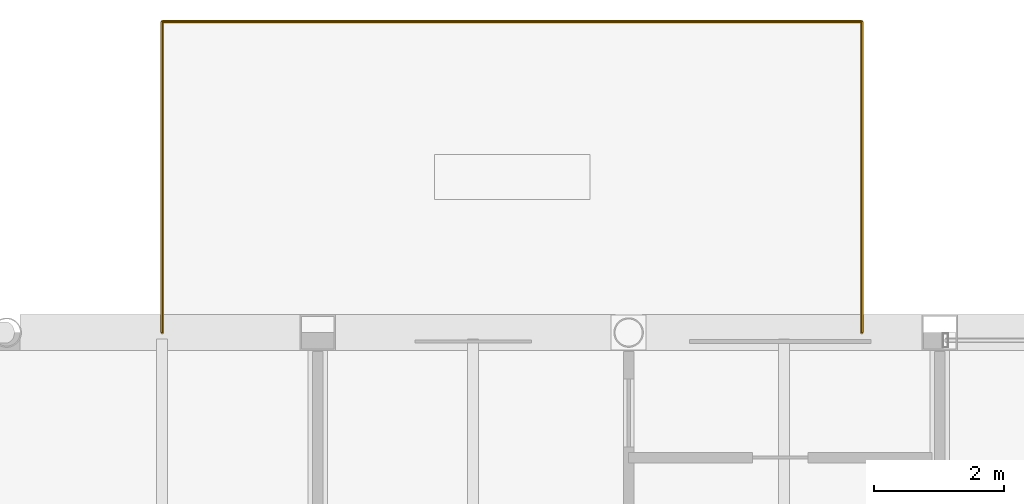
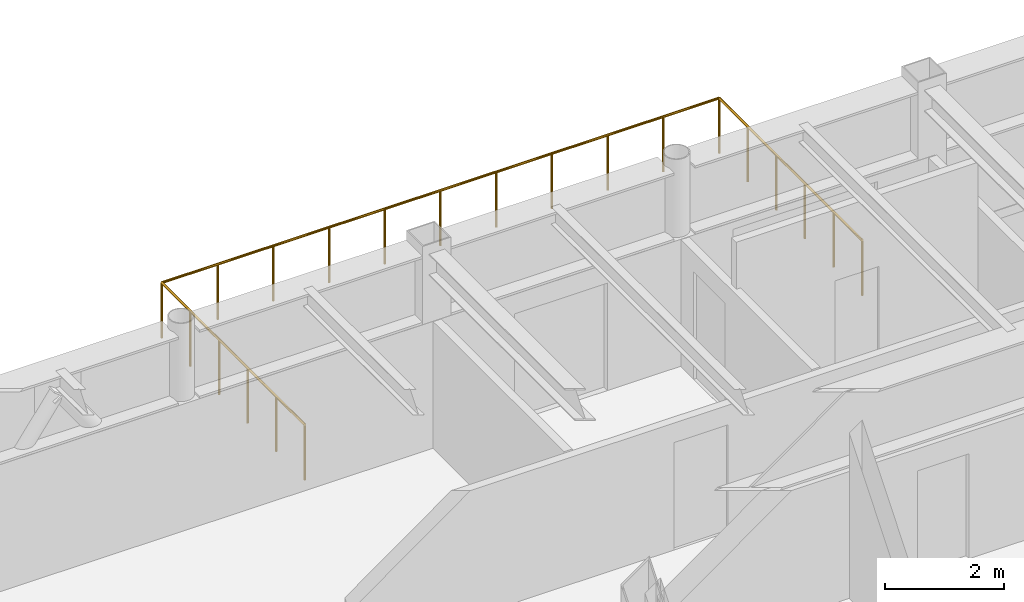
# One storey, part 23 of 23: 3 railings.
"""IFC4 building model written with IfcOpenShell, lengths in metres."""

import ifcopenshell
import ifcopenshell.guid

model = None  # the IFC model being written
_history = None  # IfcOwnerHistory: only IFC2X3 demands one
_inside = {}  # id of a spatial element -> (the spatial element, [elements in it])
_under = {}  # id of a project, library or spatial element -> (it, [spatial elements below it])
_declared = {}  # id of a project -> (the project, [libraries it declares])
_typed = {}  # id of a type object -> (the type object, [elements of that type])
_made_of = {}  # id of a material, layer set ... -> (it, [elements and type objects made of it])


def new_model(schema):
    """Start an empty IFC model of exactly this schema.

    Asked for "IFC4X3", IfcOpenShell would pick the latest addendum, in which some entities
    have other attributes; the version numbers below select the first issue.
    IFC2X3 requires an IfcOwnerHistory on every rooted entity: one is made here for all.
    """
    global model, _history
    if schema == "IFC4X3":
        model = ifcopenshell.file(schema_version=(4, 3, 0, 0))
    else:
        model = ifcopenshell.file(schema=schema)
    _inside.clear()
    _under.clear()
    _declared.clear()
    _typed.clear()
    _made_of.clear()
    _history = None
    if model.schema == "IFC2X3":
        org = make("IfcOrganization", Name="unknown")
        user = make(
            "IfcPersonAndOrganization",
            ThePerson=make("IfcPerson", FamilyName="unknown"),
            TheOrganization=org,
        )
        app = make(
            "IfcApplication",
            ApplicationDeveloper=org,
            Version="unknown",
            ApplicationFullName="unknown",
            ApplicationIdentifier="unknown",
        )
        _history = make(
            "IfcOwnerHistory",
            OwningUser=user,
            OwningApplication=app,
            ChangeAction="ADDED",
            CreationDate=0,
        )
    return model


def make(cls, **values):
    """One entity of the class cls with the attributes given. An attribute that is None is left unset."""
    return model.create_entity(
        cls, **{name: value for name, value in values.items() if value is not None}
    )


def rooted(cls, **values):
    """An entity with a GlobalId (a new one), such as an element, a storey or a relation."""
    return make(cls, GlobalId=ifcopenshell.guid.new(), OwnerHistory=_history, **values)


def si_unit(unit_type, name, prefix=None):
    """IfcSIUnit, for example si_unit("LENGTHUNIT", "METRE", prefix="MILLI")."""
    return make("IfcSIUnit", UnitType=unit_type, Prefix=prefix, Name=name)


def assignment(units):
    """IfcUnitAssignment: the units of a project."""
    return None if units is None else make("IfcUnitAssignment", Units=units)


def point(xyz):
    """IfcCartesianPoint."""
    return None if xyz is None else make("IfcCartesianPoint", Coordinates=xyz)


def direction(xyz):
    """IfcDirection."""
    return None if xyz is None else make("IfcDirection", DirectionRatios=xyz)


def frame(location, z_axis=None, x_axis=None):
    """IfcAxis2Placement3D, a coordinate frame: its origin and axes. An axis left out is left unset."""
    return make(
        "IfcAxis2Placement3D",
        Location=point(location),
        Axis=direction(z_axis),
        RefDirection=direction(x_axis),
    )


def frame_2d(location, x_axis=None):
    """IfcAxis2Placement2D, a coordinate frame in the plane: its origin and x axis."""
    return make(
        "IfcAxis2Placement2D", Location=point(location), RefDirection=direction(x_axis)
    )


def origin():
    """The frame at (0, 0, 0) with its axes left unset."""
    return frame((0.0, 0.0, 0.0))


def origin_2d():
    """The frame at (0, 0) in the plane with its x axis left unset."""
    return frame_2d((0.0, 0.0))


def place(relative_to, where):
    """IfcLocalPlacement: puts the frame where relative to a parent placement (None: the world)."""
    return make(
        "IfcLocalPlacement", PlacementRelTo=relative_to, RelativePlacement=where
    )


def context(
    kind, dimensions, precision=None, world=None, true_north=None, identifier=None
):
    """IfcGeometricRepresentationContext, for example the 3D "Model" context."""
    return make(
        "IfcGeometricRepresentationContext",
        ContextIdentifier=identifier,
        ContextType=kind,
        CoordinateSpaceDimension=dimensions,
        Precision=precision,
        WorldCoordinateSystem=world,
        TrueNorth=true_north,
    )


def subcontext(parent, identifier, kind, view, scale=None):
    """IfcGeometricRepresentationSubContext, for example "Body" below "Model"."""
    return make(
        "IfcGeometricRepresentationSubContext",
        ContextIdentifier=identifier,
        ContextType=kind,
        ParentContext=parent,
        TargetScale=scale,
        TargetView=view,
    )


def project(units=None, contexts=None):
    """IfcProject with its units and contexts."""
    return rooted(
        "IfcProject",
        Name="project",
        RepresentationContexts=contexts,
        UnitsInContext=assignment(units),
    )


def spatial(cls, under=None, at=None, **own):
    """A site, building, storey or space (cls), placed at a placement, below another one or the project."""
    s = rooted(cls, ObjectPlacement=at, **own)
    if under is not None:
        _under.setdefault(under.id(), (under, []))[1].append(s)
    return s


def profile(cls, at=None, kind="AREA", **sizes):
    """A parametric profile (cls). Its sizes go by their IFC names, for example OverallWidth=200.0."""
    return make(cls, ProfileType=kind, Position=at, **sizes)


def circle(**sizes):
    """IfcCircleProfileDef."""
    return profile("IfcCircleProfileDef", **sizes)


def extrude(swept, where, along, depth):
    """IfcExtrudedAreaSolid: the profile swept, set in the frame where, extruded along a direction by depth."""
    return make(
        "IfcExtrudedAreaSolid",
        SweptArea=swept,
        Position=where,
        ExtrudedDirection=direction(along),
        Depth=depth,
    )


def shape(context_of_items, identifier, shape_type, items):
    """IfcShapeRepresentation: the items that make up one representation, for example the "Body"."""
    return make(
        "IfcShapeRepresentation",
        ContextOfItems=context_of_items,
        RepresentationIdentifier=identifier,
        RepresentationType=shape_type,
        Items=items,
    )


def material(Name=None, Category=None):
    """IfcMaterial."""
    return make("IfcMaterial", Name=Name, Category=Category)


def layer(
    of_material, thickness, ventilated=None, Name=None, Category=None, Priority=None
):
    """IfcMaterialLayer: one layer of a wall or slab, of a material (None: an air gap)."""
    return make(
        "IfcMaterialLayer",
        Material=of_material,
        LayerThickness=thickness,
        IsVentilated=ventilated,
        Name=Name,
        Category=Category,
        Priority=Priority,
    )


def layer_set(layers, Name=None):
    """IfcMaterialLayerSet."""
    return make("IfcMaterialLayerSet", MaterialLayers=layers, LayerSetName=Name)


def made_of(thing, what):
    """Note that an element or type object is made of a material, layer set ...; save() writes the relation."""
    if what is not None:
        _made_of.setdefault(what.id(), (what, []))[1].append(thing)
    return thing


def type_object(cls, material=None, **own):
    """A type object (cls), such as IfcWallType, which elements share."""
    return made_of(rooted(cls, **own), material)


def element(
    cls,
    number,
    at=None,
    inside=None,
    cuts=None,
    type_object=None,
    material=None,
    context=None,
    identifier="Body",
    shape_type=None,
    held_by="IfcProductDefinitionShape",
    body=None,
    shapes=None,
    **own,
):
    """One element of the class cls, such as IfcWall. Its Tag is "e" and its number.

    at: its placement. inside: the storey or other place that contains it. cuts: it is an
    opening in that element (IfcRelVoidsElement). A single representation is given by context,
    identifier, shape_type and body (its items); several are given by shapes. held_by: the class
    of the entity that holds the representations. save() writes the other relations.
    """
    e = rooted(cls, Tag="e%d" % number, ObjectPlacement=at, **own)
    if body is not None:
        shapes = [shape(context, identifier, shape_type, body)]
    if shapes is not None:
        e.Representation = make(held_by, Representations=shapes)
    if inside is not None:
        _inside.setdefault(inside.id(), (inside, []))[1].append(e)
    if cuts is not None:
        rooted(
            "IfcRelVoidsElement", RelatingBuildingElement=cuts, RelatedOpeningElement=e
        )
    if type_object is not None:
        _typed.setdefault(type_object.id(), (type_object, []))[1].append(e)
    return made_of(e, material)


def aggregate(whole, parts):
    """IfcRelAggregates: a whole, such as a stair, and the parts it consists of."""
    return rooted("IfcRelAggregates", RelatingObject=whole, RelatedObjects=parts)


def save(model, path):
    """Write the relations noted so far, then the file.

    IfcRelAggregates (storeys below a building ...), IfcRelContainedInSpatialStructure (elements
    in a storey), IfcRelDefinesByType, IfcRelAssociatesMaterial and IfcRelDeclares: one each for
    every whole, place, type object, material and project.
    """
    for whole, parts in _under.values():
        aggregate(whole, parts)
    for where, things in _inside.values():
        rooted(
            "IfcRelContainedInSpatialStructure",
            RelatedElements=things,
            RelatingStructure=where,
        )
    for kind, things in _typed.values():
        rooted("IfcRelDefinesByType", RelatedObjects=things, RelatingType=kind)
    for what, things in _made_of.values():
        rooted("IfcRelAssociatesMaterial", RelatedObjects=things, RelatingMaterial=what)
    for by, libraries in _declared.values():
        rooted("IfcRelDeclares", RelatingContext=by, RelatedDefinitions=libraries)
    model.write(path)


model = new_model("IFC4")

# Units and contexts
model_context = context("Model", 3, precision=1e-05, world=origin(), true_north=direction((0.0, 1.0)))
body_context = subcontext(model_context, "Body", "Model", "MODEL_VIEW")
ifc_project = project(units=[si_unit("LENGTHUNIT", "METRE"), si_unit("AREAUNIT", "SQUARE_METRE"), si_unit("VOLUMEUNIT", "CUBIC_METRE"), si_unit("PLANEANGLEUNIT", "RADIAN"), si_unit("MASSUNIT", "GRAM", prefix="KILO")], contexts=[model_context])

# Site, building, storey
site_placement = place(None, origin())
site = spatial("IfcSite", under=ifc_project, at=site_placement, CompositionType="ELEMENT")
building_placement = place(site_placement, origin())
building = spatial("IfcBuilding", under=site, at=building_placement, Name="Kallvorn Hotel Tower", CompositionType="ELEMENT")
storey_placement = place(building_placement, frame((0.0, 0.0, 282.199951171875)))
storey = spatial("IfcBuildingStorey", under=building, at=storey_placement, Name="L70", CompositionType="ELEMENT", Elevation=282.199951171875)

# Railings
ifc_material = material(Name="Galvanised painted steel S275JR balustrade", Category="steel")
ifc_layer = layer(ifc_material, 0.06005859375)
ifc_layer_set = layer_set([ifc_layer], Name="RL_BALUSTRADE_1150")
railing_type = type_object("IfcRailingType", Name="RL_BALUSTRADE_1150", PredefinedType="BALUSTRADE", material=ifc_layer_set)
railing_1_placement = place(storey_placement, frame((-16.800048828125, 14.39990234375, 0.0)))
element("IfcRailing", 1, at=railing_1_placement, inside=storey, type_object=railing_type, Name="L70 Exterior Safety Guardrail TER-L70-N-01", PredefinedType="BALUSTRADE", context=body_context, shape_type="SweptSolid", body=[
    extrude(circle(Radius=0.02392578125, at=origin_2d()), frame((0.0, 0.0, 1.1259765625), z_axis=(0.0, 1.0, 0.0), x_axis=(-1.0, 0.0, 0.0)), (0.0, 0.0, 1.0), 4.800048828125),
    extrude(circle(Radius=0.02099609375, at=origin_2d()), origin(), (0.0, 0.0, 1.0), 1.101806640625),
    extrude(circle(Radius=0.02099609375, at=origin_2d()), frame((0.0, 0.9599609375, 0.0)), (0.0, 0.0, 1.0), 1.101806640625),
    extrude(circle(Radius=0.02099609375, at=origin_2d()), frame((0.0, 1.919921875, 0.0)), (0.0, 0.0, 1.0), 1.101806640625),
    extrude(circle(Radius=0.02099609375, at=origin_2d()), frame((0.0, 2.880126953125, 0.0)), (0.0, 0.0, 1.0), 1.101806640625),
    extrude(circle(Radius=0.02099609375, at=origin_2d()), frame((0.0, 3.840087890625, 0.0)), (0.0, 0.0, 1.0), 1.101806640625),
    extrude(circle(Radius=0.02099609375, at=origin_2d()), frame((0.0, 4.800048828125, 0.0)), (0.0, 0.0, 1.0), 1.101806640625),
])
railing_2_placement = place(storey_placement, frame((-16.800048828125, 19.199951171875, 0.0)))
element("IfcRailing", 2, at=railing_2_placement, inside=storey, type_object=railing_type, Name="L70 Exterior Safety Guardrail TER-L70-N-02", PredefinedType="BALUSTRADE", context=body_context, shape_type="SweptSolid", body=[
    extrude(circle(Radius=0.02392578125, at=origin_2d()), frame((0.0, 0.0, 1.1259765625), z_axis=(1.0, 0.0, 0.0), x_axis=(0.0, 1.0, 0.0)), (0.0, 0.0, 1.0), 10.800048828125),
    extrude(circle(Radius=0.02099609375, at=origin_2d()), origin(), (0.0, 0.0, 1.0), 1.101806640625),
    extrude(circle(Radius=0.02099609375, at=origin_2d()), frame((1.080078125, 0.0, 0.0)), (0.0, 0.0, 1.0), 1.101806640625),
    extrude(circle(Radius=0.02099609375, at=origin_2d()), frame((2.159912109375, 0.0, 0.0)), (0.0, 0.0, 1.0), 1.101806640625),
    extrude(circle(Radius=0.02099609375, at=origin_2d()), frame((3.239990234375, 0.0, 0.0)), (0.0, 0.0, 1.0), 1.101806640625),
    extrude(circle(Radius=0.02099609375, at=origin_2d()), frame((4.320068359375, 0.0, 0.0)), (0.0, 0.0, 1.0), 1.101806640625),
    extrude(circle(Radius=0.02099609375, at=origin_2d()), frame((5.39990234375, 0.0, 0.0)), (0.0, 0.0, 1.0), 1.101806640625),
    extrude(circle(Radius=0.02099609375, at=origin_2d()), frame((6.47998046875, 0.0, 0.0)), (0.0, 0.0, 1.0), 1.101806640625),
    extrude(circle(Radius=0.02099609375, at=origin_2d()), frame((7.56005859375, 0.0, 0.0)), (0.0, 0.0, 1.0), 1.101806640625),
    extrude(circle(Radius=0.02099609375, at=origin_2d()), frame((8.64013671875, 0.0, 0.0)), (0.0, 0.0, 1.0), 1.101806640625),
    extrude(circle(Radius=0.02099609375, at=origin_2d()), frame((9.719970703125, 0.0, 0.0)), (0.0, 0.0, 1.0), 1.101806640625),
    extrude(circle(Radius=0.02099609375, at=origin_2d()), frame((10.800048828125, 0.0, 0.0)), (0.0, 0.0, 1.0), 1.101806640625),
])
railing_3_placement = place(storey_placement, frame((-6.0, 19.199951171875, 0.0)))
element("IfcRailing", 3, at=railing_3_placement, inside=storey, type_object=railing_type, Name="L70 Exterior Safety Guardrail TER-L70-N-03", PredefinedType="BALUSTRADE", context=body_context, shape_type="SweptSolid", body=[
    extrude(circle(Radius=0.02392578125, at=origin_2d()), frame((0.0, 0.0, 1.1259765625), z_axis=(0.0, -1.0, 0.0), x_axis=(1.0, 0.0, 0.0)), (0.0, 0.0, 1.0), 4.800048828125),
    extrude(circle(Radius=0.02099609375, at=origin_2d()), origin(), (0.0, 0.0, 1.0), 1.101806640625),
    extrude(circle(Radius=0.02099609375, at=origin_2d()), frame((0.0, -0.9599609375, 0.0)), (0.0, 0.0, 1.0), 1.101806640625),
    extrude(circle(Radius=0.02099609375, at=origin_2d()), frame((0.0, -1.919921875, 0.0)), (0.0, 0.0, 1.0), 1.101806640625),
    extrude(circle(Radius=0.02099609375, at=origin_2d()), frame((0.0, -2.880126953125, 0.0)), (0.0, 0.0, 1.0), 1.101806640625),
    extrude(circle(Radius=0.02099609375, at=origin_2d()), frame((0.0, -3.840087890625, 0.0)), (0.0, 0.0, 1.0), 1.101806640625),
    extrude(circle(Radius=0.02099609375, at=origin_2d()), frame((0.0, -4.800048828125, 0.0)), (0.0, 0.0, 1.0), 1.101806640625),
])

save(model, "model.ifc")
